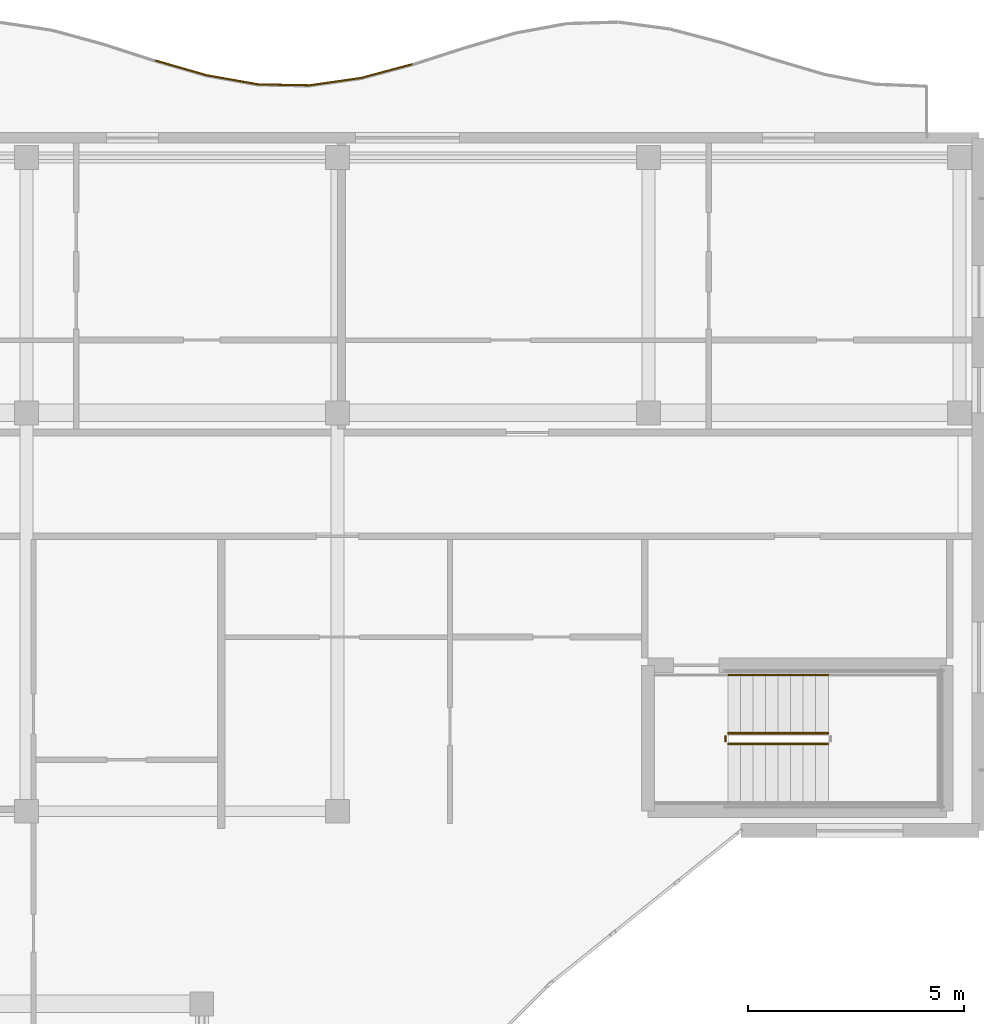
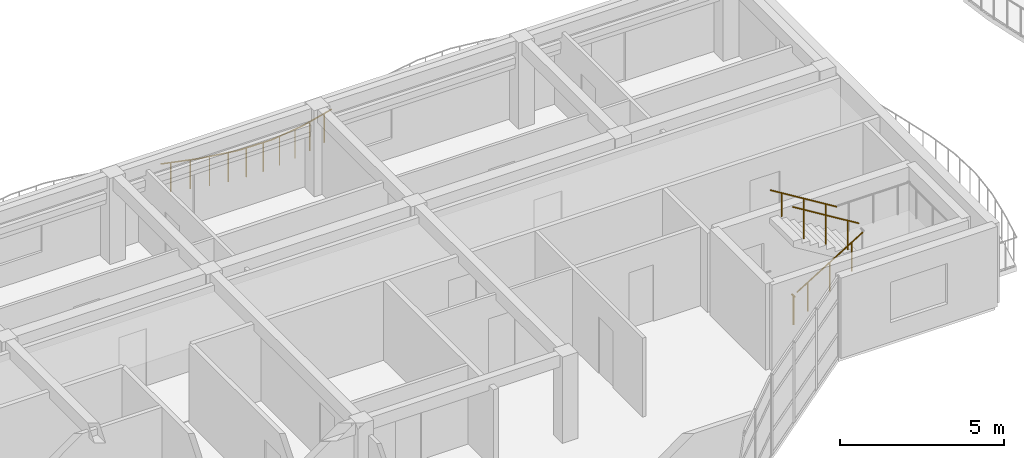
# One storey, part 60 of 68: 9 railings.
"""IFC4 building model written with IfcOpenShell, lengths in metres."""

from ifc_helpers import new_model, si_unit, direction, frame, origin, origin_2d, place, context, subcontext, project, spatial, circle, extrude, material, type_object, element, save


model = new_model("IFC4")

# Units and contexts
model_context = context("Model", 3, precision=1e-05, world=origin(), true_north=direction((0.0, 1.0)))
body_context = subcontext(model_context, "Body", "Model", "MODEL_VIEW")
ifc_project = project(units=[si_unit("LENGTHUNIT", "METRE"), si_unit("AREAUNIT", "SQUARE_METRE"), si_unit("VOLUMEUNIT", "CUBIC_METRE"), si_unit("PLANEANGLEUNIT", "RADIAN"), si_unit("MASSUNIT", "GRAM", prefix="KILO")], contexts=[model_context])

# Site, building, storey
site_placement = place(None, origin())
site = spatial("IfcSite", under=ifc_project, at=site_placement, CompositionType="ELEMENT")
building_placement = place(site_placement, origin())
building = spatial("IfcBuilding", under=site, at=building_placement, Name="Keldmere Railside Commons", CompositionType="ELEMENT")
storey_placement = place(building_placement, frame((0.0, 0.0, 23.360107421875)))
storey = spatial("IfcBuildingStorey", under=building, at=storey_placement, Name="L07", CompositionType="ELEMENT", Elevation=23.360107421875)

# Railings
ifc_material = material(Name="Steel F-24 (S235)", Category="steel")
railing_type_1 = type_object("IfcRailingType", Name="Balcony & Terrace Steel Balustrade 1100", PredefinedType="BALUSTRADE", material=ifc_material)
railing_1_placement = place(storey_placement, frame((118.471435546875, 117.79052734375, 0.0)))
element("IfcRailing", 1, at=railing_1_placement, inside=storey, type_object=railing_type_1, Name="GR-1 GRD-L07-2651", PredefinedType="BALUSTRADE", context=body_context, shape_type="SweptSolid", body=[
    extrude(circle(Radius=0.02392578125, at=origin_2d()), frame((0.0, 0.0, 1.076171875), z_axis=(0.960940772211, -0.276754100789, 0.0), x_axis=(0.276754100789, 0.960940772211, 0.0)), (0.0, 0.0, 1.0), 1.23681640625),
    extrude(circle(Radius=0.02099609375, at=origin_2d()), frame((0.297119140625, -0.08544921875, 0.0)), (0.0, 0.0, 1.0), 1.048095703125),
    extrude(circle(Radius=0.02099609375, at=origin_2d()), frame((0.891357421875, -0.2568359375, 0.0)), (0.0, 0.0, 1.0), 1.048095703125),
])
railing_2_placement = place(storey_placement, frame((119.659912109375, 117.4482421875, 0.0)))
element("IfcRailing", 2, at=railing_2_placement, inside=storey, type_object=railing_type_1, Name="GR-1 GRD-L07-2652", PredefinedType="BALUSTRADE", context=body_context, shape_type="SweptSolid", body=[
    extrude(circle(Radius=0.02392578125, at=origin_2d()), frame((0.0, 0.0, 1.076171875), z_axis=(0.984687720628, -0.174327544708, 0.0), x_axis=(0.174327544708, 0.984687720628, 0.0)), (0.0, 0.0, 1.0), 1.207275390625),
    extrude(circle(Radius=0.02099609375, at=origin_2d()), frame((0.297119140625, -0.052734375, 0.0)), (0.0, 0.0, 1.0), 1.048095703125),
    extrude(circle(Radius=0.02099609375, at=origin_2d()), frame((0.8916015625, -0.15771484375, 0.0)), (0.0, 0.0, 1.0), 1.048095703125),
])
railing_3_placement = place(storey_placement, frame((120.8486328125, 117.23779296875, 0.0)))
element("IfcRailing", 3, at=railing_3_placement, inside=storey, type_object=railing_type_1, Name="GR-1 GRD-L07-2653", PredefinedType="BALUSTRADE", context=body_context, shape_type="SweptSolid", body=[
    extrude(circle(Radius=0.02392578125, at=origin_2d()), frame((0.0, 0.0, 1.076171875), z_axis=(0.999813618354, -0.019306179155, 0.0), x_axis=(0.019306179155, 0.999813618354, 0.0)), (0.0, 0.0, 1.0), 1.188720703125),
    extrude(circle(Radius=0.02099609375, at=origin_2d()), frame((0.297119140625, -0.005859375, 0.0)), (0.0, 0.0, 1.0), 1.048095703125),
    extrude(circle(Radius=0.02099609375, at=origin_2d()), frame((0.891357421875, -0.01708984375, 0.0)), (0.0, 0.0, 1.0), 1.048095703125),
])
railing_4_placement = place(storey_placement, frame((122.037109375, 117.21484375, 0.0)))
element("IfcRailing", 4, at=railing_4_placement, inside=storey, type_object=railing_type_1, Name="GR-1 GRD-L07-2654", PredefinedType="BALUSTRADE", context=body_context, shape_type="SweptSolid", body=[
    extrude(circle(Radius=0.02392578125, at=origin_2d()), frame((0.0, 0.0, 1.076171875), z_axis=(0.989904707269, 0.141734507183, 0.0), x_axis=(-0.141734507183, 0.989904707269, 0.0)), (0.0, 0.0, 1.0), 1.20068359375),
    extrude(circle(Radius=0.02099609375, at=origin_2d()), frame((0.297119140625, 0.04248046875, 0.0)), (0.0, 0.0, 1.0), 1.048095703125),
    extrude(circle(Radius=0.02099609375, at=origin_2d()), frame((0.891357421875, 0.127685546875, 0.0)), (0.0, 0.0, 1.0), 1.048095703125),
])
railing_5_placement = place(storey_placement, frame((123.2255859375, 117.385009765625, 0.0)))
element("IfcRailing", 5, at=railing_5_placement, inside=storey, type_object=railing_type_1, Name="GR-1 GRD-L07-2655", PredefinedType="BALUSTRADE", context=body_context, shape_type="SweptSolid", body=[
    extrude(circle(Radius=0.02392578125, at=origin_2d()), frame((0.0, 0.0, 1.076171875), z_axis=(0.965808925246, 0.259254932285, 0.0), x_axis=(-0.259254932285, 0.965808925246, 0.0)), (0.0, 0.0, 1.0), 1.230712890625),
    extrude(circle(Radius=0.02099609375, at=origin_2d()), frame((0.297119140625, 0.079833984375, 0.0)), (0.0, 0.0, 1.0), 1.048095703125),
    extrude(circle(Radius=0.02099609375, at=origin_2d()), frame((0.8916015625, 0.2392578125, 0.0)), (0.0, 0.0, 1.0), 1.048095703125),
])
railing_type_2 = type_object("IfcRailingType", Name="Stair Well Steel Guardrail 1100", PredefinedType="BALUSTRADE", material=ifc_material)
railing_6_placement = place(storey_placement, frame((131.699951171875, 102.0, 0.177734375)))
element("IfcRailing", 6, at=railing_6_placement, inside=storey, type_object=railing_type_2, Name="L07 ST-B2 stair guard 1", PredefinedType="BALUSTRADE", context=body_context, shape_type="SweptSolid", body=[
    extrude(circle(Radius=0.02392578125, at=origin_2d()), frame((0.0, 0.0, 1.076171875), z_axis=(0.852578041948, 0.0, 0.522599925744), x_axis=(0.0, 1.0, 0.0)), (0.0, 0.0, 1.0), 2.72119140625),
    extrude(circle(Radius=0.02099609375, at=origin_2d()), frame((0.38671875, 0.0, 0.237060546875)), (0.0, 0.0, 1.0), 1.048095703125),
    extrude(circle(Radius=0.02099609375, at=origin_2d()), frame((1.16015625, 0.0, 0.7109375)), (0.0, 0.0, 1.0), 1.048095703125),
    extrude(circle(Radius=0.02099609375, at=origin_2d()), frame((1.933349609375, 0.0, 1.18505859375)), (0.0, 0.0, 1.0), 1.048095703125),
])
railing_7_placement = place(storey_placement, frame((134.02001953125, 102.25, 1.777587890625)))
element("IfcRailing", 7, at=railing_7_placement, inside=storey, type_object=railing_type_2, Name="L07 ST-B2 stair guard 6", PredefinedType="BALUSTRADE", context=body_context, shape_type="SweptSolid", body=[
    extrude(circle(Radius=0.02392578125, at=origin_2d()), frame((0.0, 0.0, 1.076171875), z_axis=(-0.852538067394, 0.0, 0.522665135287), x_axis=(0.0, -1.0, 0.0)), (0.0, 0.0, 1.0), 2.721435546875),
    extrude(circle(Radius=0.02099609375, at=origin_2d()), frame((-0.38671875, 0.0, 0.237060546875)), (0.0, 0.0, 1.0), 1.048095703125),
    extrude(circle(Radius=0.02099609375, at=origin_2d()), frame((-1.16015625, 0.0, 0.711181640625)), (0.0, 0.0, 1.0), 1.048095703125),
    extrude(circle(Radius=0.02099609375, at=origin_2d()), frame((-1.933349609375, 0.0, 1.185302734375)), (0.0, 0.0, 1.0), 1.048095703125),
])
railing_8_placement = place(storey_placement, frame((131.64990234375, 102.050048828125, 0.0)))
element("IfcRailing", 8, at=railing_8_placement, inside=storey, type_object=railing_type_2, Name="L07 ST-B2 stair guard 7", PredefinedType="BALUSTRADE", context=body_context, shape_type="SweptSolid", body=[
    extrude(circle(Radius=0.02392578125, at=origin_2d()), frame((0.0, 0.0, 1.076171875), z_axis=(0.0, 1.0, 0.0), x_axis=(-1.0, 0.0, 0.0)), (0.0, 0.0, 1.0), 0.14990234375),
    extrude(circle(Radius=0.02099609375, at=origin_2d()), frame((0.0, 0.074951171875, 0.0)), (0.0, 0.0, 1.0), 1.048095703125),
])
railing_type_3 = type_object("IfcRailingType", Name="Wall-Mounted Tubular Steel Handrail 900", PredefinedType="HANDRAIL", material=ifc_material)
railing_9_placement = place(storey_placement, frame((134.02001953125, 103.60009765625, 1.777587890625)))
element("IfcRailing", 9, at=railing_9_placement, inside=storey, type_object=railing_type_3, Name="L07 ST-B2 stair handrail 2", PredefinedType="HANDRAIL", context=body_context, shape_type="SweptSolid", body=[
    extrude(circle(Radius=0.02392578125, at=origin_2d()), frame((0.0, 0.0, 0.8759765625), z_axis=(-0.852538067394, 0.0, 0.522665135287), x_axis=(0.0, -1.0, 0.0)), (0.0, 0.0, 1.0), 2.721435546875),
    extrude(circle(Radius=0.02099609375, at=origin_2d()), frame((-0.38671875, 0.0, 0.237060546875)), (0.0, 0.0, 1.0), 0.847900390625),
    extrude(circle(Radius=0.02099609375, at=origin_2d()), frame((-1.16015625, 0.0, 0.711181640625)), (0.0, 0.0, 1.0), 0.847900390625),
    extrude(circle(Radius=0.02099609375, at=origin_2d()), frame((-1.933349609375, 0.0, 1.185302734375)), (0.0, 0.0, 1.0), 0.847900390625),
])

save(model, "model.ifc")
